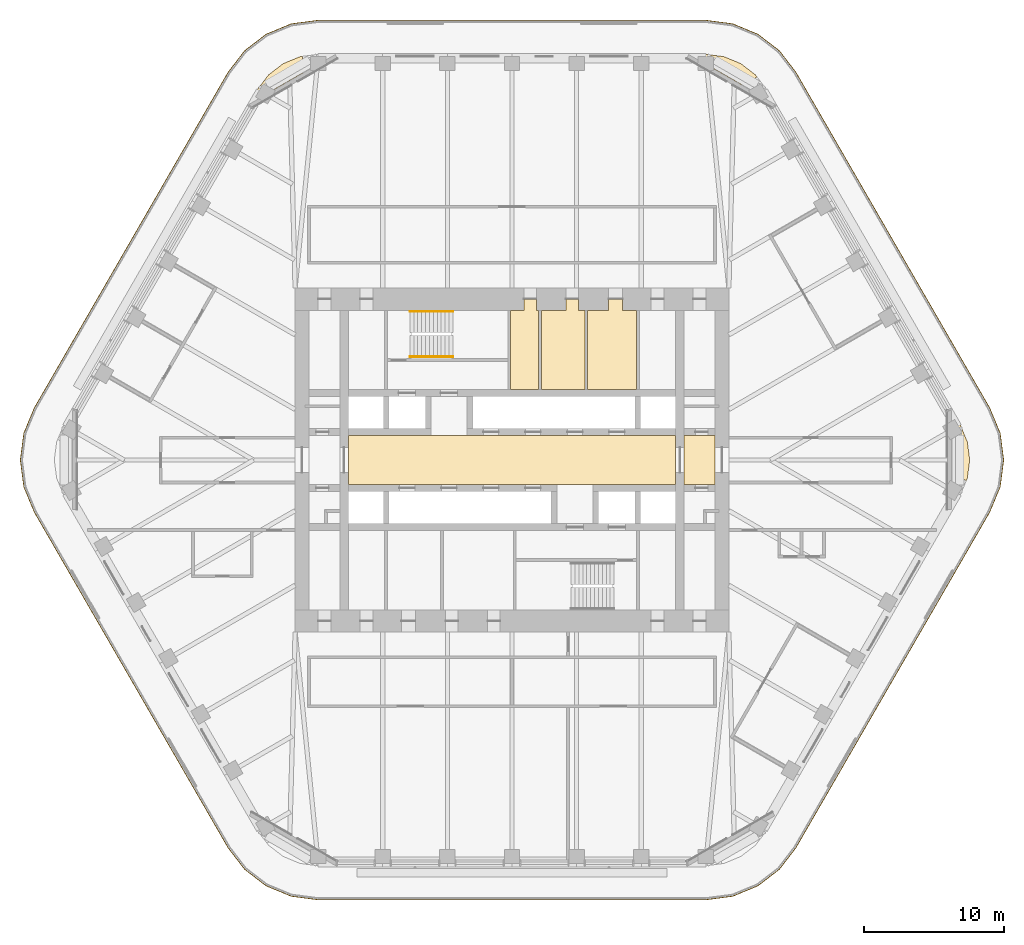
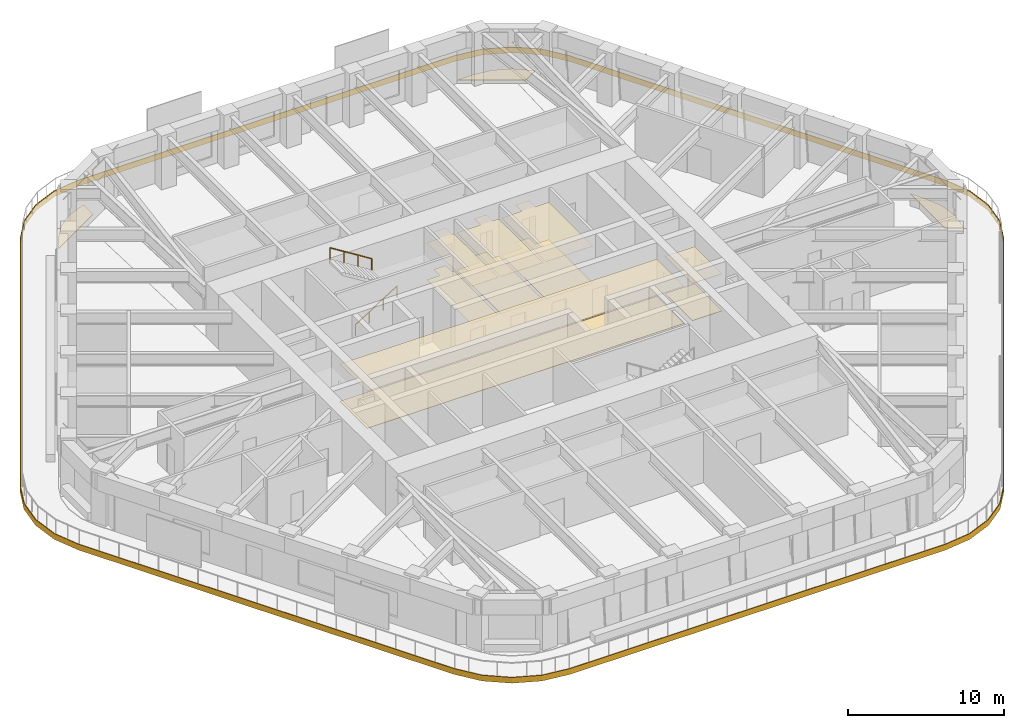
# One storey, part 19 of 20: 14 coverings, 2 railings.
"""IFC4 building model written with IfcOpenShell, lengths in metres."""

from ifc_helpers import new_model, si_unit, direction, frame, origin, origin_2d, place, context, subcontext, project, spatial, polyline, circle, outline, extrude, material, layer, layer_set, type_object, element, save


model = new_model("IFC4")

# Units and contexts
model_context = context("Model", 3, precision=1e-05, world=origin(), true_north=direction((0.0, 1.0)))
body_context = subcontext(model_context, "Body", "Model", "MODEL_VIEW")
ifc_project = project(units=[si_unit("LENGTHUNIT", "METRE"), si_unit("AREAUNIT", "SQUARE_METRE"), si_unit("VOLUMEUNIT", "CUBIC_METRE"), si_unit("PLANEANGLEUNIT", "RADIAN"), si_unit("MASSUNIT", "GRAM", prefix="KILO")], contexts=[model_context])

# Site, building, storey
site_placement = place(None, origin())
site = spatial("IfcSite", under=ifc_project, at=site_placement, CompositionType="ELEMENT")
building_placement = place(site_placement, origin())
building = spatial("IfcBuilding", under=site, at=building_placement, Name="Tarfa Lantern Tower", CompositionType="ELEMENT")
storey_placement = place(building_placement, frame((0.0, 0.0, 282.699951171875)))
storey = spatial("IfcBuildingStorey", under=building, at=storey_placement, Name="L64", CompositionType="ELEMENT", Elevation=282.699951171875)

# Coverings
ifc_material_1 = material(Name="Moisture-resistant plasterboard", Category="finish")
ifc_layer_1 = layer(ifc_material_1, 0.014892578125)
ifc_layer_set_1 = layer_set([ifc_layer_1], Name="CL2 MOISTURE-RESISTANT PLASTERBOARD CEILING 15")
covering_type_1 = type_object("IfcCoveringType", Name="CL2 MOISTURE-RESISTANT PLASTERBOARD CEILING 15", PredefinedType="CEILING", material=ifc_layer_set_1)
covering_1_placement = place(storey_placement, frame((0.0, 0.0, 2.900146484375)))
element("IfcCovering", 1, at=covering_1_placement, inside=storey, type_object=covering_type_1, Name="Ceiling L64-07", PredefinedType="CEILING", context=body_context, shape_type="SweptSolid", body=[
    extrude(outline(polyline([(0.85009765625, 10.699951171875), (-0.10009765625, 10.699951171875), (-0.10009765625, 5.050048828125), (1.89990234375, 5.050048828125), (1.89990234375, 10.699951171875), (1.75, 10.699951171875), (1.75, 11.5), (1.75, 11.5), (0.85009765625, 11.5), (0.85009765625, 10.699951171875)])), origin(), (0.0, 0.0, 1.0), 0.014892578125),
])
covering_2_placement = place(storey_placement, frame((0.0, 0.0, 2.900146484375)))
element("IfcCovering", 2, at=covering_2_placement, inside=storey, type_object=covering_type_1, Name="Ceiling L64-08", PredefinedType="CEILING", context=body_context, shape_type="SweptSolid", body=[
    extrude(outline(polyline([(2.10009765625, 5.050048828125), (5.199951171875, 5.050048828125), (5.199951171875, 10.699951171875), (4.75, 10.699951171875), (4.75, 11.5), (3.85009765625, 11.5), (3.85009765625, 10.699951171875), (2.10009765625, 10.699951171875), (2.10009765625, 5.050048828125)])), origin(), (0.0, 0.0, 1.0), 0.014892578125),
])
covering_3_placement = place(storey_placement, frame((0.0, 0.0, 2.900146484375)))
element("IfcCovering", 3, at=covering_3_placement, inside=storey, type_object=covering_type_1, Name="Ceiling L64-09", PredefinedType="CEILING", context=body_context, shape_type="SweptSolid", body=[
    extrude(outline(polyline([(5.39990234375, 5.050048828125), (8.89990234375, 5.050048828125), (8.89990234375, 10.699951171875), (7.89990234375, 10.699951171875), (7.89990234375, 11.5), (6.89990234375, 11.5), (6.89990234375, 10.699951171875), (5.39990234375, 10.699951171875), (5.39990234375, 5.050048828125)])), origin(), (0.0, 0.0, 1.0), 0.014892578125),
])
ifc_material_2 = material(Name="Powder-coated aluminium panel", Category="aluminium")
ifc_layer_2 = layer(ifc_material_2, 0.030029296875)
ifc_layer_set_2 = layer_set([ifc_layer_2], Name="CL3 METAL PANEL CEILING 30")
covering_type_2 = type_object("IfcCoveringType", Name="CL3 METAL PANEL CEILING 30", PredefinedType="CEILING", material=ifc_layer_set_2)
covering_4_placement = place(storey_placement, frame((0.0, 0.0, 2.900146484375)))
element("IfcCovering", 4, at=covering_4_placement, inside=storey, type_object=covering_type_2, Name="Ceiling L64-02", PredefinedType="CEILING", context=body_context, shape_type="SweptSolid", body=[
    extrude(outline(polyline([(-11.699951171875, -1.75), (11.699951171875, -1.75), (11.699951171875, 1.75), (-11.699951171875, 1.75), (-11.699951171875, -1.75)])), origin(), (0.0, 0.0, 1.0), 0.02978515625),
])
covering_5_placement = place(storey_placement, frame((0.0, 0.0, 2.900146484375)))
element("IfcCovering", 5, at=covering_5_placement, inside=storey, type_object=covering_type_2, Name="Ceiling L64-03", PredefinedType="CEILING", context=body_context, shape_type="SweptSolid", body=[
    extrude(outline(polyline([(12.300048828125, -1.75), (14.5, -1.75), (14.5, 1.75), (12.300048828125, 1.75), (12.300048828125, -1.75)])), origin(), (0.0, 0.0, 1.0), 0.02978515625),
])
ifc_material_3 = material(Name="Honed limestone flooring", Category="masonry")
ifc_layer_3 = layer(ifc_material_3, 0.030029296875)
ifc_layer_set_3 = layer_set([ifc_layer_3], Name="FL2 STONE FLOORING 30")
covering_type_3 = type_object("IfcCoveringType", Name="FL2 STONE FLOORING 30", PredefinedType="FLOORING", material=ifc_layer_set_3)
covering_6_placement = place(storey_placement, origin())
element("IfcCovering", 6, at=covering_6_placement, inside=storey, type_object=covering_type_3, Name="Floor finish L64-02", PredefinedType="FLOORING", context=body_context, shape_type="SweptSolid", body=[
    extrude(outline(polyline([(-11.699951171875, -1.75), (11.699951171875, -1.75), (11.699951171875, 1.75), (-11.699951171875, 1.75), (-11.699951171875, -1.75)])), origin(), (0.0, 0.0, 1.0), 0.030029296875),
])
covering_7_placement = place(storey_placement, origin())
element("IfcCovering", 7, at=covering_7_placement, inside=storey, type_object=covering_type_3, Name="Floor finish L64-03", PredefinedType="FLOORING", context=body_context, shape_type="SweptSolid", body=[
    extrude(outline(polyline([(12.300048828125, -1.75), (14.5, -1.75), (14.5, 1.75), (12.300048828125, 1.75), (12.300048828125, -1.75)])), origin(), (0.0, 0.0, 1.0), 0.030029296875),
])
ifc_material_4 = material(Name="Porcelain floor tile", Category="finish")
ifc_layer_4 = layer(ifc_material_4, 0.011962890625)
ifc_layer_set_4 = layer_set([ifc_layer_4], Name="FL3 CERAMIC TILE 12")
covering_type_4 = type_object("IfcCoveringType", Name="FL3 CERAMIC TILE 12", PredefinedType="FLOORING", material=ifc_layer_set_4)
covering_8_placement = place(storey_placement, origin())
element("IfcCovering", 8, at=covering_8_placement, inside=storey, type_object=covering_type_4, Name="Floor finish L64-07", PredefinedType="FLOORING", context=body_context, shape_type="SweptSolid", body=[
    extrude(outline(polyline([(0.85009765625, 10.699951171875), (-0.10009765625, 10.699951171875), (-0.10009765625, 5.050048828125), (1.89990234375, 5.050048828125), (1.89990234375, 10.699951171875), (1.75, 10.699951171875), (1.75, 11.5), (1.75, 11.5), (0.85009765625, 11.5), (0.85009765625, 10.699951171875)])), origin(), (0.0, 0.0, 1.0), 0.011962890625),
])
covering_9_placement = place(storey_placement, origin())
element("IfcCovering", 9, at=covering_9_placement, inside=storey, type_object=covering_type_4, Name="Floor finish L64-08", PredefinedType="FLOORING", context=body_context, shape_type="SweptSolid", body=[
    extrude(outline(polyline([(2.10009765625, 5.050048828125), (5.199951171875, 5.050048828125), (5.199951171875, 10.699951171875), (4.75, 10.699951171875), (4.75, 11.5), (3.85009765625, 11.5), (3.85009765625, 10.699951171875), (2.10009765625, 10.699951171875), (2.10009765625, 5.050048828125)])), origin(), (0.0, 0.0, 1.0), 0.011962890625),
])
covering_10_placement = place(storey_placement, origin())
element("IfcCovering", 10, at=covering_10_placement, inside=storey, type_object=covering_type_4, Name="Floor finish L64-09", PredefinedType="FLOORING", context=body_context, shape_type="SweptSolid", body=[
    extrude(outline(polyline([(5.39990234375, 5.050048828125), (8.89990234375, 5.050048828125), (8.89990234375, 10.699951171875), (7.89990234375, 10.699951171875), (7.89990234375, 11.5), (6.89990234375, 11.5), (6.89990234375, 10.699951171875), (5.39990234375, 10.699951171875), (5.39990234375, 5.050048828125)])), origin(), (0.0, 0.0, 1.0), 0.011962890625),
])

# Railings
ifc_material_5 = material(Name="Stainless steel", Category="steel")
railing_type = type_object("IfcRailingType", Name="HR1 HANDRAIL 900", PredefinedType="HANDRAIL", material=ifc_material_5)
railing_1_placement = place(storey_placement, frame((-7.300048828125, 7.3798828125, 0.175048828125)))
element("IfcRailing", 11, at=railing_1_placement, inside=storey, type_object=railing_type, Name="Handrail 1", PredefinedType="HANDRAIL", context=body_context, shape_type="SweptSolid", body=[
    extrude(circle(Radius=0.02392578125, at=origin_2d()), frame((0.0, 0.0, 0.8759765625), z_axis=(0.847998304005, 0.0, 0.529998940003), x_axis=(0.0, 1.0, 0.0)), (0.0, 0.0, 1.0), 3.632080078125),
    extrude(circle(Radius=0.02099609375, at=origin_2d()), frame((0.0, 0.0, 0.0), z_axis=(0.0, 0.0, 1.0), x_axis=(0.0, 1.0, 0.0)), (0.0, 0.0, 1.0), 0.851806640625),
    extrude(circle(Radius=0.02099609375, at=origin_2d()), frame((1.026611328125, 0.0, 0.6416015625), z_axis=(0.0, 0.0, 1.0), x_axis=(0.0, 1.0, 0.0)), (0.0, 0.0, 1.0), 0.851806640625),
    extrude(circle(Radius=0.02099609375, at=origin_2d()), frame((2.053466796875, 0.0, 1.283447265625), z_axis=(0.0, 0.0, 1.0), x_axis=(0.0, 1.0, 0.0)), (0.0, 0.0, 1.0), 0.851806640625),
    extrude(circle(Radius=0.02099609375, at=origin_2d()), frame((3.080078125, 0.0, 1.925048828125), z_axis=(0.0, 0.0, 1.0), x_axis=(0.0, 1.0, 0.0)), (0.0, 0.0, 1.0), 0.851806640625),
])
railing_2_placement = place(storey_placement, frame((-4.219970703125, 10.6201171875, 2.275146484375)))
element("IfcRailing", 12, at=railing_2_placement, inside=storey, type_object=railing_type, Name="Handrail 2", PredefinedType="HANDRAIL", context=body_context, shape_type="SweptSolid", body=[
    extrude(circle(Radius=0.02392578125, at=origin_2d()), frame((0.0, 0.0, 0.8759765625), z_axis=(-0.848028513186, 0.0, 0.529950602248), x_axis=(0.0, -1.0, 0.0)), (0.0, 0.0, 1.0), 3.632080078125),
    extrude(circle(Radius=0.02099609375, at=origin_2d()), frame((0.0, 0.0, 0.0), z_axis=(0.0, 0.0, 1.0), x_axis=(0.0, -1.0, 0.0)), (0.0, 0.0, 1.0), 0.851806640625),
    extrude(circle(Radius=0.02099609375, at=origin_2d()), frame((-1.026611328125, 0.0, 0.6416015625), z_axis=(0.0, 0.0, 1.0), x_axis=(0.0, -1.0, 0.0)), (0.0, 0.0, 1.0), 0.851806640625),
    extrude(circle(Radius=0.02099609375, at=origin_2d()), frame((-2.053466796875, 0.0, 1.283203125), z_axis=(0.0, 0.0, 1.0), x_axis=(0.0, -1.0, 0.0)), (0.0, 0.0, 1.0), 0.851806640625),
    extrude(circle(Radius=0.02099609375, at=origin_2d()), frame((-3.080078125, 0.0, 1.9248046875), z_axis=(0.0, 0.0, 1.0), x_axis=(0.0, -1.0, 0.0)), (0.0, 0.0, 1.0), 0.851806640625),
])

# Coverings
ifc_material_6 = material(Name="Porcelain pavers on pedestals", Category="ceramic")
ifc_layer_5 = layer(ifc_material_6, 0.0400390625)
ifc_layer_set_5 = layer_set([ifc_layer_5], Name="LP1 LOGGIA PAVING 40")
covering_type_5 = type_object("IfcCoveringType", Name="LP1 LOGGIA PAVING 40", PredefinedType="FLOORING", material=ifc_layer_set_5)
covering_11_placement = place(storey_placement, origin())
element("IfcCovering", 13, at=covering_11_placement, inside=storey, type_object=covering_type_5, Name="Sky garden paving NE-N", PredefinedType="FLOORING", context=body_context, shape_type="SweptSolid", body=[
    extrude(outline(polyline([(15.150390625, 28.82958984375), (16.3564453125, 28.330078125), (17.391845703125, 27.53564453125), (17.51123046875, 27.380126953125), (16.4765625, 26.782958984375), (12.641357421875, 28.997314453125), (12.64306640625, 29.0), (13.8564453125, 29.0), (15.150390625, 28.82958984375)])), origin(), (0.0, 0.0, 1.0), 0.0400390625),
])
covering_12_placement = place(storey_placement, origin())
element("IfcCovering", 14, at=covering_12_placement, inside=storey, type_object=covering_type_5, Name="Sky garden paving N-NW", PredefinedType="FLOORING", context=body_context, shape_type="SweptSolid", body=[
    extrude(outline(polyline([(-17.391845703125, 27.53564453125), (-16.3564453125, 28.330078125), (-15.150390625, 28.82958984375), (-14.956298828125, 28.855224609375), (-14.956298828125, 27.66064453125), (-18.791748046875, 25.4462890625), (-18.793212890625, 25.44921875), (-18.1865234375, 26.5), (-17.391845703125, 27.53564453125)])), origin(), (0.0, 0.0, 1.0), 0.0400390625),
])
covering_13_placement = place(storey_placement, origin())
element("IfcCovering", 15, at=covering_13_placement, inside=storey, type_object=covering_type_5, Name="Sky garden paving SE-NE", PredefinedType="FLOORING", context=body_context, shape_type="SweptSolid", body=[
    extrude(outline(polyline([(32.54248046875, 1.294189453125), (32.712890625, 0.0), (32.54248046875, -1.294189453125), (32.467529296875, -1.474853515625), (31.43310546875, -0.877685546875), (31.43310546875, 3.55078125), (31.436279296875, 3.55078125), (32.04296875, 2.5), (32.54248046875, 1.294189453125)])), origin(), (0.0, 0.0, 1.0), 0.0400390625),
])
ifc_material_7 = material(Name="Limestone cladding on brackets", Category="masonry")
ifc_layer_6 = layer(ifc_material_7, 0.050048828125)
ifc_layer_set_6 = layer_set([ifc_layer_6], Name="SB1 STONE BAND CLADDING 50")
covering_type_6 = type_object("IfcCoveringType", Name="SB1 STONE BAND CLADDING 50", PredefinedType="CLADDING", material=ifc_layer_set_6)
covering_14_placement = place(storey_placement, frame((0.0, 0.0, -0.39990234375)))
element("IfcCovering", 16, at=covering_14_placement, inside=storey, type_object=covering_type_6, Name="Stone band", PredefinedType="CLADDING", context=body_context, shape_type="SweptSolid", body=[
    extrude(outline(polyline([(34.164794921875, 3.72509765625), (20.308349609375, 27.72509765625), (19.124267578125, 29.26806640625), (17.581298828125, 30.451904296875), (15.78466796875, 31.196044921875), (13.8564453125, 31.449951171875), (-13.8564453125, 31.449951171875), (-15.78466796875, 31.196044921875), (-17.581298828125, 30.451904296875), (-19.124267578125, 29.26806640625), (-20.308349609375, 27.72509765625), (-34.164794921875, 3.72509765625), (-34.908935546875, 1.92822265625), (-35.162841796875, 0.0), (-34.908935546875, -1.92822265625), (-34.164794921875, -3.72509765625), (-20.308349609375, -27.72509765625), (-19.124267578125, -29.26806640625), (-17.581298828125, -30.451904296875), (-15.78466796875, -31.196044921875), (-13.8564453125, -31.449951171875), (13.8564453125, -31.449951171875), (15.78466796875, -31.196044921875), (17.581298828125, -30.451904296875), (19.124267578125, -29.26806640625), (20.308349609375, -27.72509765625), (34.164794921875, -3.72509765625), (34.908935546875, -1.92822265625), (35.162841796875, 0.0), (34.908935546875, 1.92822265625), (34.164794921875, 3.72509765625)]), holes=[polyline([(34.121337890625, 3.699951171875), (20.264892578125, 27.699951171875), (19.089111328125, 29.232666015625), (17.556396484375, 30.40869140625), (15.771728515625, 31.14794921875), (13.8564453125, 31.39990234375), (-13.8564453125, 31.39990234375), (-15.771728515625, 31.14794921875), (-17.556396484375, 30.40869140625), (-19.089111328125, 29.232666015625), (-20.264892578125, 27.699951171875), (-34.121337890625, 3.699951171875), (-34.860595703125, 1.915283203125), (-35.11279296875, 0.0), (-34.860595703125, -1.915283203125), (-34.121337890625, -3.699951171875), (-20.264892578125, -27.699951171875), (-19.089111328125, -29.232666015625), (-17.556396484375, -30.40869140625), (-15.771728515625, -31.14794921875), (-13.8564453125, -31.39990234375), (13.8564453125, -31.39990234375), (15.771728515625, -31.14794921875), (17.556396484375, -30.40869140625), (19.089111328125, -29.232666015625), (20.264892578125, -27.699951171875), (34.121337890625, -3.699951171875), (34.860595703125, -1.915283203125), (35.11279296875, 0.0), (34.860595703125, 1.915283203125), (34.121337890625, 3.699951171875)])]), origin(), (0.0, 0.0, 1.0), 0.449951171875),
])

save(model, "model.ifc")
